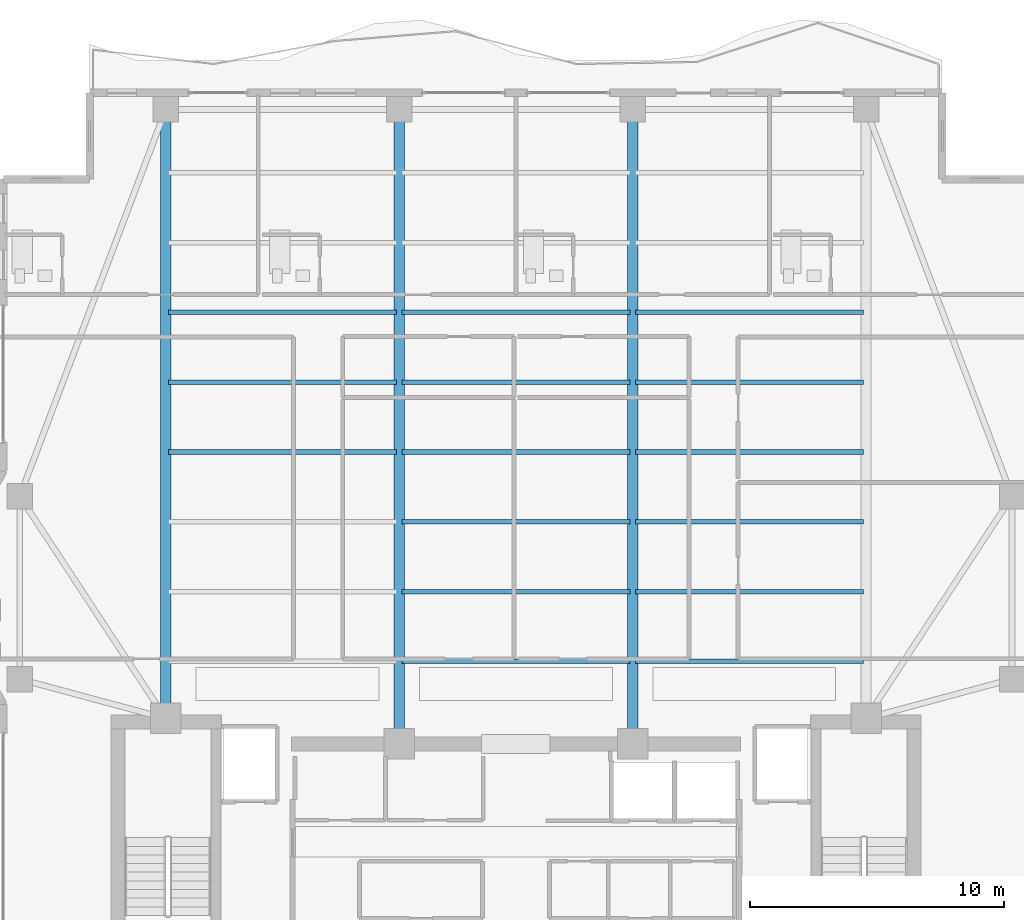
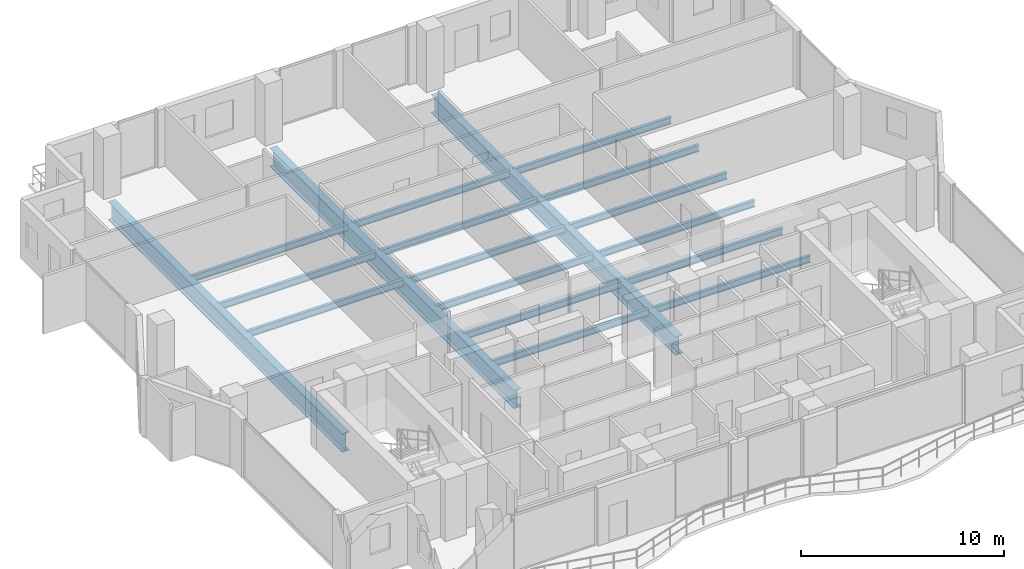
# One storey, part 7 of 26: 18 beams.
"""IFC4 building model written with IfcOpenShell, lengths in metres."""

from ifc_helpers import new_model, si_unit, direction, frame, origin, origin_2d, place, context, subcontext, project, spatial, i_section, extrude, material, material_profile, profile_set, type_object, element, save


model = new_model("IFC4")

# Units and contexts
model_context = context("Model", 3, precision=1e-05, world=origin(), true_north=direction((0.0, 1.0)))
body_context = subcontext(model_context, "Body", "Model", "MODEL_VIEW")
ifc_project = project(units=[si_unit("LENGTHUNIT", "METRE"), si_unit("AREAUNIT", "SQUARE_METRE"), si_unit("VOLUMEUNIT", "CUBIC_METRE"), si_unit("PLANEANGLEUNIT", "RADIAN"), si_unit("MASSUNIT", "GRAM", prefix="KILO")], contexts=[model_context])

# Site, building, storey
site_placement = place(None, origin())
site = spatial("IfcSite", under=ifc_project, at=site_placement, CompositionType="ELEMENT")
building_placement = place(site_placement, origin())
building = spatial("IfcBuilding", under=site, at=building_placement, Name="Zuhayl Quay Hotel", CompositionType="ELEMENT")
storey_placement = place(building_placement, frame((0.0, 0.0, 254.449951171875)))
storey = spatial("IfcBuildingStorey", under=building, at=storey_placement, Name="L64", CompositionType="ELEMENT", Elevation=254.449951171875)

# Beams
ifc_material_1 = material(Name="Steel ASTM A992 Grade 50", Category="steel")
ifc_material_profile_1 = material_profile(ifc_material_1, i_section(OverallWidth=0.177978515625, OverallDepth=0.404052734375, WebThickness=0.007568359375, FlangeThickness=0.010986328125, at=origin_2d()), Name="W16X36")
ifc_profile_set_1 = profile_set([ifc_material_profile_1], Name="Steel ASTM A992 Grade 50")
beam_type_1 = type_object("IfcBeamType", Name="BM_J3_W16X36", PredefinedType="JOIST", material=ifc_profile_set_1)
beam_1_placement = place(storey_placement, frame((-4.493896484375, 16.60009765625, -0.421875), z_axis=(1.0, 0.0, 0.0), x_axis=(0.0, 1.0, 0.0)))
element("IfcBeam", 1, at=beam_1_placement, inside=storey, type_object=beam_type_1, Name="L64 Floor Beam FJ_L64_1_2", PredefinedType="JOIST", context=body_context, shape_type="SweptSolid", body=[
    extrude(i_section(OverallWidth=0.177978515625, OverallDepth=0.404052734375, WebThickness=0.007568359375, FlangeThickness=0.010986328125, at=origin_2d()), origin(), (0.0, 0.0, 1.0), 8.98779296875),
])
beam_2_placement = place(storey_placement, frame((4.7060546875, 16.60009765625, -0.421875), z_axis=(1.0, 0.0, 0.0), x_axis=(0.0, 1.0, 0.0)))
element("IfcBeam", 2, at=beam_2_placement, inside=storey, type_object=beam_type_1, Name="L64 Floor Beam FJ_L64_1_3", PredefinedType="JOIST", context=body_context, shape_type="SweptSolid", body=[
    extrude(i_section(OverallWidth=0.177978515625, OverallDepth=0.404052734375, WebThickness=0.007568359375, FlangeThickness=0.010986328125, at=origin_2d()), origin(), (0.0, 0.0, 1.0), 8.988037109375),
])
beam_3_placement = place(storey_placement, frame((-4.493896484375, 19.35009765625, -0.421875), z_axis=(1.0, 0.0, 0.0), x_axis=(0.0, 1.0, 0.0)))
element("IfcBeam", 3, at=beam_3_placement, inside=storey, type_object=beam_type_1, Name="L64 Floor Beam FJ_L64_2_2", PredefinedType="JOIST", context=body_context, shape_type="SweptSolid", body=[
    extrude(i_section(OverallWidth=0.177978515625, OverallDepth=0.404052734375, WebThickness=0.007568359375, FlangeThickness=0.010986328125, at=origin_2d()), origin(), (0.0, 0.0, 1.0), 8.98779296875),
])
beam_4_placement = place(storey_placement, frame((4.7060546875, 19.35009765625, -0.421875), z_axis=(1.0, 0.0, 0.0), x_axis=(0.0, 1.0, 0.0)))
element("IfcBeam", 4, at=beam_4_placement, inside=storey, type_object=beam_type_1, Name="L64 Floor Beam FJ_L64_2_3", PredefinedType="JOIST", context=body_context, shape_type="SweptSolid", body=[
    extrude(i_section(OverallWidth=0.177978515625, OverallDepth=0.404052734375, WebThickness=0.007568359375, FlangeThickness=0.010986328125, at=origin_2d()), origin(), (0.0, 0.0, 1.0), 8.988037109375),
])
beam_5_placement = place(storey_placement, frame((-4.493896484375, 22.10009765625, -0.421875), z_axis=(1.0, 0.0, 0.0), x_axis=(0.0, 1.0, 0.0)))
element("IfcBeam", 5, at=beam_5_placement, inside=storey, type_object=beam_type_1, Name="L64 Floor Beam FJ_L64_3_2", PredefinedType="JOIST", context=body_context, shape_type="SweptSolid", body=[
    extrude(i_section(OverallWidth=0.177978515625, OverallDepth=0.404052734375, WebThickness=0.007568359375, FlangeThickness=0.010986328125, at=origin_2d()), origin(), (0.0, 0.0, 1.0), 8.98779296875),
])
for number, where, z_axis, x_axis, name in (
    (6, (4.7060546875, 22.10009765625, -0.421875), (1.0, 0.0, 0.0), (0.0, 1.0, 0.0), "L64 Floor Beam FJ_L64_3_3"),
    (7, (-13.694091796875, 24.85009765625, -0.421875), (1.0, 0.0, 0.0), (0.0, 1.0, 0.0), "L64 Floor Beam FJ_L64_4_1"),
):
    element("IfcBeam", number, at=place(storey_placement, frame(where, z_axis=z_axis, x_axis=x_axis)), inside=storey, type_object=beam_type_1, Name=name, PredefinedType="JOIST", context=body_context, shape_type="SweptSolid", body=[
        extrude(i_section(OverallWidth=0.177978515625, OverallDepth=0.404052734375, WebThickness=0.007568359375, FlangeThickness=0.010986328125, at=origin_2d()), origin(), (0.0, 0.0, 1.0), 8.988037109375),
    ])
beam_6_placement = place(storey_placement, frame((-4.493896484375, 24.85009765625, -0.421875), z_axis=(1.0, 0.0, 0.0), x_axis=(0.0, 1.0, 0.0)))
element("IfcBeam", 8, at=beam_6_placement, inside=storey, type_object=beam_type_1, Name="L64 Floor Beam FJ_L64_4_2", PredefinedType="JOIST", context=body_context, shape_type="SweptSolid", body=[
    extrude(i_section(OverallWidth=0.177978515625, OverallDepth=0.404052734375, WebThickness=0.007568359375, FlangeThickness=0.010986328125, at=origin_2d()), origin(), (0.0, 0.0, 1.0), 8.98779296875),
])
for number, where, z_axis, x_axis, name in (
    (9, (4.7060546875, 24.85009765625, -0.421875), (1.0, 0.0, 0.0), (0.0, 1.0, 0.0), "L64 Floor Beam FJ_L64_4_3"),
    (10, (-13.694091796875, 27.60009765625, -0.421875), (1.0, 0.0, 0.0), (0.0, 1.0, 0.0), "L64 Floor Beam FJ_L64_5_1"),
):
    element("IfcBeam", number, at=place(storey_placement, frame(where, z_axis=z_axis, x_axis=x_axis)), inside=storey, type_object=beam_type_1, Name=name, PredefinedType="JOIST", context=body_context, shape_type="SweptSolid", body=[
        extrude(i_section(OverallWidth=0.177978515625, OverallDepth=0.404052734375, WebThickness=0.007568359375, FlangeThickness=0.010986328125, at=origin_2d()), origin(), (0.0, 0.0, 1.0), 8.988037109375),
    ])
beam_7_placement = place(storey_placement, frame((-4.493896484375, 27.60009765625, -0.421875), z_axis=(1.0, 0.0, 0.0), x_axis=(0.0, 1.0, 0.0)))
element("IfcBeam", 11, at=beam_7_placement, inside=storey, type_object=beam_type_1, Name="L64 Floor Beam FJ_L64_5_2", PredefinedType="JOIST", context=body_context, shape_type="SweptSolid", body=[
    extrude(i_section(OverallWidth=0.177978515625, OverallDepth=0.404052734375, WebThickness=0.007568359375, FlangeThickness=0.010986328125, at=origin_2d()), origin(), (0.0, 0.0, 1.0), 8.98779296875),
])
for number, where, z_axis, x_axis, name in (
    (12, (4.7060546875, 27.60009765625, -0.421875), (1.0, 0.0, 0.0), (0.0, 1.0, 0.0), "L64 Floor Beam FJ_L64_5_3"),
    (13, (-13.694091796875, 30.35009765625, -0.421875), (1.0, 0.0, 0.0), (0.0, 1.0, 0.0), "L64 Floor Beam FJ_L64_6_1"),
):
    element("IfcBeam", number, at=place(storey_placement, frame(where, z_axis=z_axis, x_axis=x_axis)), inside=storey, type_object=beam_type_1, Name=name, PredefinedType="JOIST", context=body_context, shape_type="SweptSolid", body=[
        extrude(i_section(OverallWidth=0.177978515625, OverallDepth=0.404052734375, WebThickness=0.007568359375, FlangeThickness=0.010986328125, at=origin_2d()), origin(), (0.0, 0.0, 1.0), 8.988037109375),
    ])
beam_8_placement = place(storey_placement, frame((-4.493896484375, 30.35009765625, -0.421875), z_axis=(1.0, 0.0, 0.0), x_axis=(0.0, 1.0, 0.0)))
element("IfcBeam", 14, at=beam_8_placement, inside=storey, type_object=beam_type_1, Name="L64 Floor Beam FJ_L64_6_2", PredefinedType="JOIST", context=body_context, shape_type="SweptSolid", body=[
    extrude(i_section(OverallWidth=0.177978515625, OverallDepth=0.404052734375, WebThickness=0.007568359375, FlangeThickness=0.010986328125, at=origin_2d()), origin(), (0.0, 0.0, 1.0), 8.98779296875),
])
beam_9_placement = place(storey_placement, frame((4.7060546875, 30.35009765625, -0.421875), z_axis=(1.0, 0.0, 0.0), x_axis=(0.0, 1.0, 0.0)))
element("IfcBeam", 15, at=beam_9_placement, inside=storey, type_object=beam_type_1, Name="L64 Floor Beam FJ_L64_6_3", PredefinedType="JOIST", context=body_context, shape_type="SweptSolid", body=[
    extrude(i_section(OverallWidth=0.177978515625, OverallDepth=0.404052734375, WebThickness=0.007568359375, FlangeThickness=0.010986328125, at=origin_2d()), origin(), (0.0, 0.0, 1.0), 8.988037109375),
])
ifc_material_2 = material(Name="Steel ASTM A913 Grade 65", Category="steel")
ifc_material_profile_2 = material_profile(ifc_material_2, i_section(OverallWidth=0.404052734375, OverallDepth=1.117919921875, WebThickness=0.026123046875, FlangeThickness=0.044921875, at=origin_2d()), Name="W44X335")
ifc_profile_set_2 = profile_set([ifc_material_profile_2], Name="Steel ASTM A913 Grade 65")
beam_type_2 = type_object("IfcBeamType", Name="BM_TG1_W44X335", PredefinedType="BEAM", material=ifc_profile_set_2)
beam_10_placement = place(storey_placement, frame((-13.800048828125, 14.800048828125, -0.779052734375), z_axis=(0.0, 1.0, 0.0), x_axis=(-1.0, 0.0, 0.0)))
element("IfcBeam", 16, at=beam_10_placement, inside=storey, type_object=beam_type_2, Name="L64 Floor Beam FG_N_L64_1", PredefinedType="BEAM", context=body_context, shape_type="SweptSolid", body=[
    extrude(i_section(OverallWidth=0.404052734375, OverallDepth=1.117919921875, WebThickness=0.026123046875, FlangeThickness=0.044921875, at=origin_2d()), origin(), (0.0, 0.0, 1.0), 23.08984375),
])
for number, where, z_axis, x_axis, name in (
    (17, (-4.60009765625, 13.800048828125, -0.779052734375), (0.0, 1.0, 0.0), (-1.0, 0.0, 0.0), "L64 Floor Beam FG_N_L64_2"),
    (18, (4.60009765625, 13.800048828125, -0.779052734375), (0.0, 1.0, 0.0), (-1.0, 0.0, 0.0), "L64 Floor Beam FG_N_L64_3"),
):
    element("IfcBeam", number, at=place(storey_placement, frame(where, z_axis=z_axis, x_axis=x_axis)), inside=storey, type_object=beam_type_2, Name=name, PredefinedType="BEAM", context=body_context, shape_type="SweptSolid", body=[
        extrude(i_section(OverallWidth=0.404052734375, OverallDepth=1.117919921875, WebThickness=0.026123046875, FlangeThickness=0.044921875, at=origin_2d()), origin(), (0.0, 0.0, 1.0), 24.08984375),
    ])

save(model, "model.ifc")
